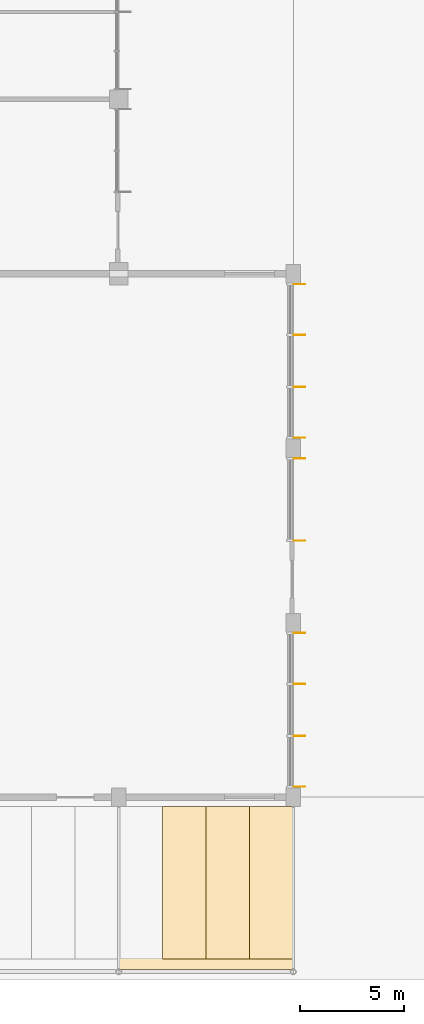
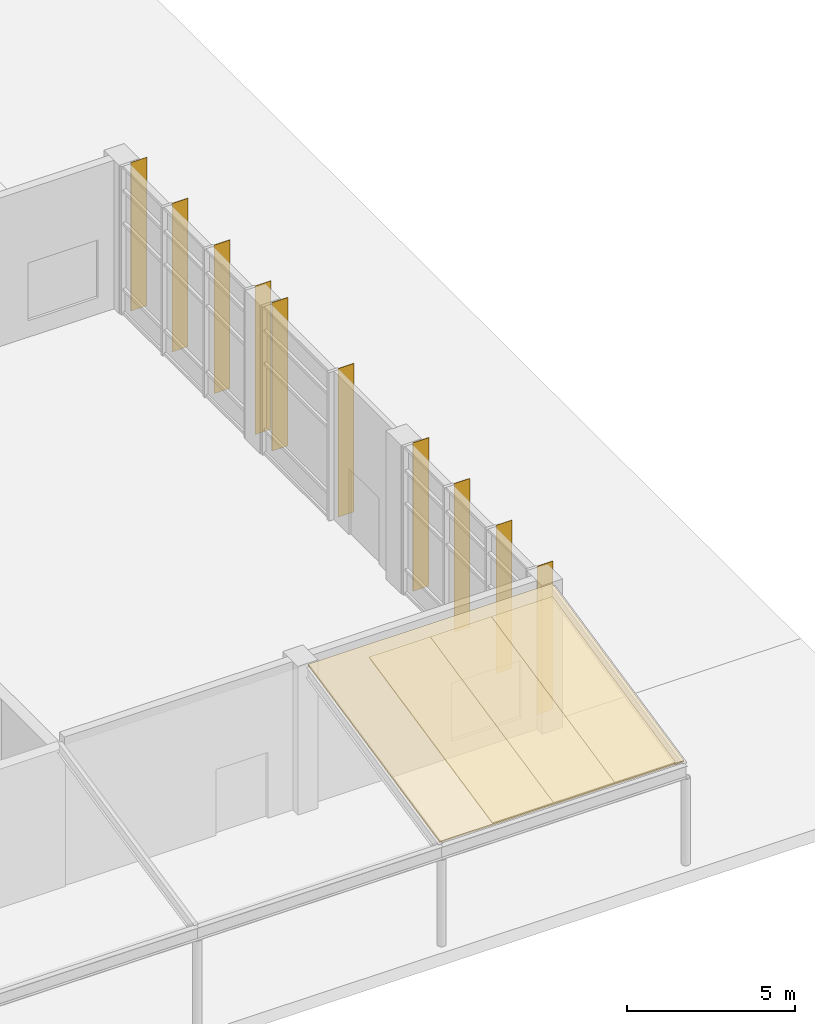
# One storey, part 71 of 76: 10 shading devices, 4 coverings.
"""IFC4 building model written with IfcOpenShell, lengths in metres."""

from ifc_helpers import new_model, si_unit, direction, frame, origin, origin_2d, place, context, subcontext, project, spatial, polyline, rectangle, outline, extrude, material, layer, layer_set, type_object, element, save


model = new_model("IFC4")

# Units and contexts
model_context = context("Model", 3, precision=1e-05, world=origin(), true_north=direction((0.0, 1.0)))
body_context = subcontext(model_context, "Body", "Model", "MODEL_VIEW")
ifc_project = project(units=[si_unit("LENGTHUNIT", "METRE"), si_unit("AREAUNIT", "SQUARE_METRE"), si_unit("VOLUMEUNIT", "CUBIC_METRE"), si_unit("PLANEANGLEUNIT", "RADIAN"), si_unit("MASSUNIT", "GRAM", prefix="KILO")], contexts=[model_context])

# Site, building, storey
site_placement = place(None, origin())
site = spatial("IfcSite", under=ifc_project, at=site_placement, CompositionType="ELEMENT")
building_placement = place(site_placement, origin())
building = spatial("IfcBuilding", under=site, at=building_placement, Name="Hlaing Beacon Police Headquarters", CompositionType="ELEMENT")
storey_placement = place(building_placement, origin())
storey = spatial("IfcBuildingStorey", under=building, at=storey_placement, Name="L00", CompositionType="ELEMENT", Elevation=0.0)

# Shading devices
ifc_material_1 = material(Name="Aluminium 6063-T5 anodised", Category="aluminium")
ifc_layer_1 = layer(ifc_material_1, 0.011962890625)
ifc_layer_set_1 = layer_set([ifc_layer_1], Name="Aluminium 6063-T5 anodised")
shading_device_type = type_object("IfcShadingDeviceType", Name="Aluminium fin 12x550", PredefinedType="JALOUSIE", material=ifc_layer_set_1)
for number, where, z_axis, x_axis, name in (
    (1, (134.699951171875, 8.89990234375, 0.0), (0.0, 0.0, 1.0), (0.0, 1.0, 0.0), "Fin L00 E009.0"),
    (2, (134.699951171875, 11.35009765625, 0.0), (0.0, 0.0, 1.0), (0.0, 1.0, 0.0), "Fin L00 E009.1"),
    (3, (134.699951171875, 13.85009765625, 0.0), (0.0, 0.0, 1.0), (0.0, 1.0, 0.0), "Fin L00 E009.2"),
    (4, (134.699951171875, 16.300048828125, 0.0), (0.0, 0.0, 1.0), (0.0, 1.0, 0.0), "Fin L00 E009.3"),
    (5, (134.699951171875, 20.75, 0.0), (0.0, 0.0, 1.0), (0.0, 1.0, 0.0), "Fin L00 E010.0"),
    (6, (134.699951171875, 24.699951171875, 0.0), (0.0, 0.0, 1.0), (0.0, 1.0, 0.0), "Fin L00 E010.1"),
    (7, (134.699951171875, 25.699951171875, 0.0), (0.0, 0.0, 1.0), (0.0, 1.0, 0.0), "Fin L00 E011.0"),
    (8, (134.699951171875, 28.14990234375, 0.0), (0.0, 0.0, 1.0), (0.0, 1.0, 0.0), "Fin L00 E011.1"),
    (9, (134.699951171875, 30.64990234375, 0.0), (0.0, 0.0, 1.0), (0.0, 1.0, 0.0), "Fin L00 E011.2"),
    (10, (134.699951171875, 33.10009765625, 0.0), (0.0, 0.0, 1.0), (0.0, 1.0, 0.0), "Fin L00 E011.3"),
):
    element("IfcShadingDevice", number, at=place(storey_placement, frame(where, z_axis=z_axis, x_axis=x_axis)), inside=storey, type_object=shading_device_type, Name=name, PredefinedType="JALOUSIE", context=body_context, shape_type="SweptSolid", body=[
        extrude(rectangle(XDim=0.011962890625, YDim=0.550048828125, at=origin_2d()), origin(), (0.0, 0.0, 1.0), 5.39990234375),
    ])

# Coverings
ifc_material_2 = material(Name="Standing seam aluminium roofing", Category="aluminium")
ifc_layer_2 = layer(ifc_material_2, 0.06005859375)
ifc_layer_set_2 = layer_set([ifc_layer_2], Name="Standing seam aluminium roofing")
covering_type_1 = type_object("IfcCoveringType", Name="Colonnade roofing 60", PredefinedType="ROOFING", material=ifc_layer_set_2)
covering_1_placement = place(storey_placement, frame((126.0, 0.09521484375, 3.680419921875), z_axis=(0.0, -0.209522862061, 0.977803748343), x_axis=(1.0, 0.0, 0.0)))
element("IfcCovering", 11, at=covering_1_placement, inside=storey, type_object=covering_type_1, Name="South colonnade of the gymnasium and range roofing 5", PredefinedType="ROOFING", context=body_context, shape_type="SweptSolid", body=[
    extrude(outline(polyline([(0.0, 0.0), (8.39990234375, 0.0), (8.39990234375, 8.033039698850168), (0.0, 8.033039698850168), (0.0, 0.0)])), origin(), (0.0, 0.0, -1.0), 0.06005859375),
])
ifc_material_3 = material(Name="Perforated aluminium", Category="aluminium")
ifc_layer_3 = layer(ifc_material_3, 0.0400390625)
ifc_layer_set_3 = layer_set([ifc_layer_3], Name="Perforated aluminium")
covering_type_2 = type_object("IfcCoveringType", Name="Perforated soffit panel 40", PredefinedType="CEILING", material=ifc_layer_set_3)
covering_2_placement = place(storey_placement, frame((128.10009765625, 0.60009765625, 3.3154296875), z_axis=(0.0, -0.209526870601, 0.977802889388), x_axis=(1.0, 0.0, 0.0)))
element("IfcCovering", 12, at=covering_2_placement, inside=storey, type_object=covering_type_2, Name="South colonnade of the gymnasium and range soffit 5.2", PredefinedType="CEILING", context=body_context, shape_type="SweptSolid", body=[
    extrude(outline(polyline([(0.0, 0.0), (2.099853515625, 0.0), (2.099853515625, 7.516702594551391), (0.0, 7.516702594551391), (0.0, 0.0)])), origin(), (0.0, 0.0, -1.0), 0.0400390625),
])
covering_3_placement = place(storey_placement, frame((130.199951171875, 0.60009765625, 3.3154296875), z_axis=(0.0, -0.209526870601, 0.977802889388), x_axis=(1.0, 0.0, 0.0)))
element("IfcCovering", 13, at=covering_3_placement, inside=storey, type_object=covering_type_2, Name="South colonnade of the gymnasium and range soffit 5.3", PredefinedType="CEILING", context=body_context, shape_type="SweptSolid", body=[
    extrude(outline(polyline([(0.0, 0.0), (2.10009765625, 0.0), (2.10009765625, 7.516702594551391), (0.0, 7.516702594551391), (0.0, 0.0)])), origin(), (0.0, 0.0, -1.0), 0.0400390625),
])
covering_4_placement = place(storey_placement, frame((132.300048828125, 0.60009765625, 3.3154296875), z_axis=(0.0, -0.209526870601, 0.977802889388), x_axis=(1.0, 0.0, 0.0)))
element("IfcCovering", 14, at=covering_4_placement, inside=storey, type_object=covering_type_2, Name="South colonnade of the gymnasium and range soffit 5.4", PredefinedType="CEILING", context=body_context, shape_type="SweptSolid", body=[
    extrude(outline(polyline([(0.0, 0.0), (2.099853515625, 0.0), (2.099853515625, 7.516702594551391), (0.0, 7.516702594551391), (0.0, 0.0)])), origin(), (0.0, 0.0, -1.0), 0.0400390625),
])

save(model, "model.ifc")
